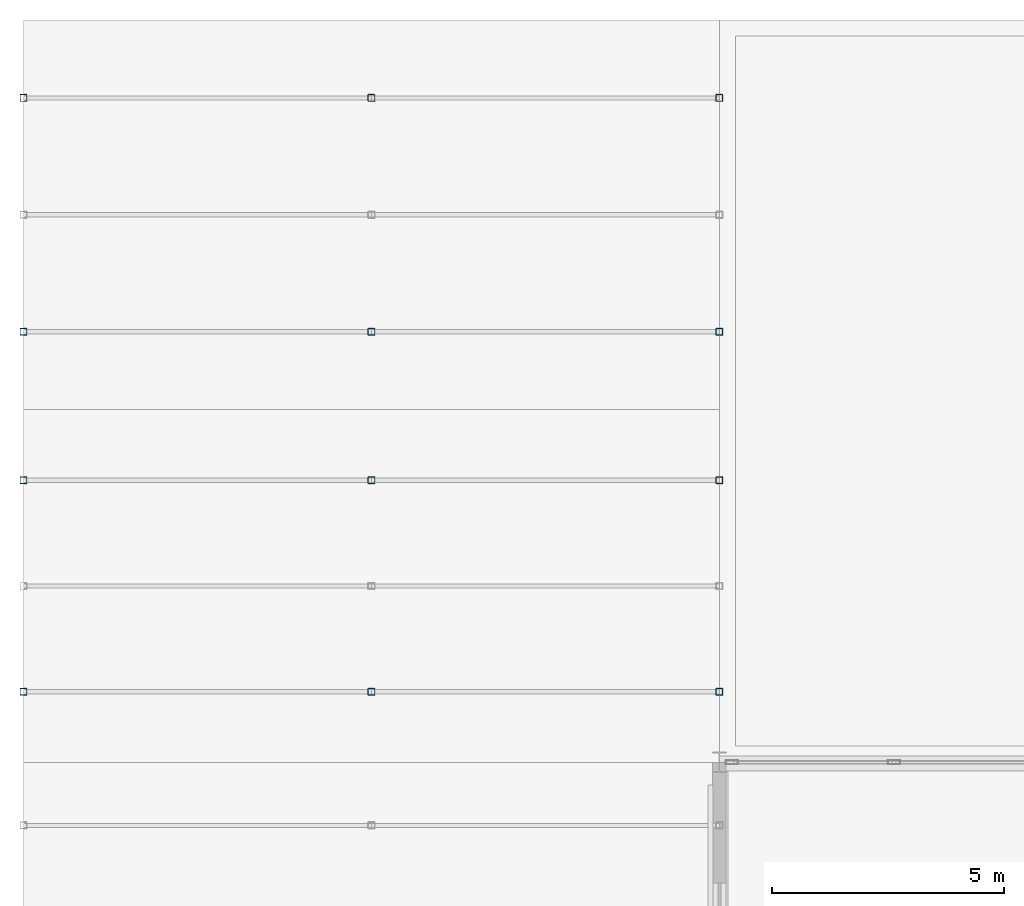
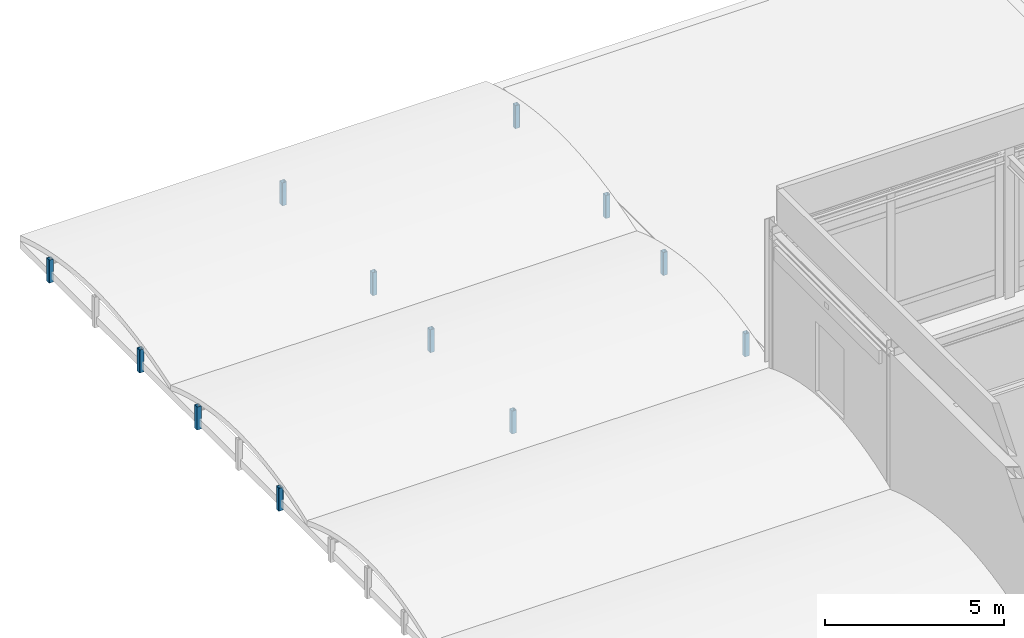
# One storey, part 80 of 113: 12 members.
"""IFC4 building model written with IfcOpenShell, lengths in metres."""

import ifcopenshell
import ifcopenshell.guid

model = None  # the IFC model being written
_history = None  # IfcOwnerHistory: only IFC2X3 demands one
_inside = {}  # id of a spatial element -> (the spatial element, [elements in it])
_under = {}  # id of a project, library or spatial element -> (it, [spatial elements below it])
_declared = {}  # id of a project -> (the project, [libraries it declares])
_typed = {}  # id of a type object -> (the type object, [elements of that type])
_made_of = {}  # id of a material, layer set ... -> (it, [elements and type objects made of it])


def new_model(schema):
    """Start an empty IFC model of exactly this schema.

    Asked for "IFC4X3", IfcOpenShell would pick the latest addendum, in which some entities
    have other attributes; the version numbers below select the first issue.
    IFC2X3 requires an IfcOwnerHistory on every rooted entity: one is made here for all.
    """
    global model, _history
    if schema == "IFC4X3":
        model = ifcopenshell.file(schema_version=(4, 3, 0, 0))
    else:
        model = ifcopenshell.file(schema=schema)
    _inside.clear()
    _under.clear()
    _declared.clear()
    _typed.clear()
    _made_of.clear()
    _history = None
    if model.schema == "IFC2X3":
        org = make("IfcOrganization", Name="unknown")
        user = make(
            "IfcPersonAndOrganization",
            ThePerson=make("IfcPerson", FamilyName="unknown"),
            TheOrganization=org,
        )
        app = make(
            "IfcApplication",
            ApplicationDeveloper=org,
            Version="unknown",
            ApplicationFullName="unknown",
            ApplicationIdentifier="unknown",
        )
        _history = make(
            "IfcOwnerHistory",
            OwningUser=user,
            OwningApplication=app,
            ChangeAction="ADDED",
            CreationDate=0,
        )
    return model


def make(cls, **values):
    """One entity of the class cls with the attributes given. An attribute that is None is left unset."""
    return model.create_entity(
        cls, **{name: value for name, value in values.items() if value is not None}
    )


def rooted(cls, **values):
    """An entity with a GlobalId (a new one), such as an element, a storey or a relation."""
    return make(cls, GlobalId=ifcopenshell.guid.new(), OwnerHistory=_history, **values)


def si_unit(unit_type, name, prefix=None):
    """IfcSIUnit, for example si_unit("LENGTHUNIT", "METRE", prefix="MILLI")."""
    return make("IfcSIUnit", UnitType=unit_type, Prefix=prefix, Name=name)


def assignment(units):
    """IfcUnitAssignment: the units of a project."""
    return None if units is None else make("IfcUnitAssignment", Units=units)


def point(xyz):
    """IfcCartesianPoint."""
    return None if xyz is None else make("IfcCartesianPoint", Coordinates=xyz)


def direction(xyz):
    """IfcDirection."""
    return None if xyz is None else make("IfcDirection", DirectionRatios=xyz)


def frame(location, z_axis=None, x_axis=None):
    """IfcAxis2Placement3D, a coordinate frame: its origin and axes. An axis left out is left unset."""
    return make(
        "IfcAxis2Placement3D",
        Location=point(location),
        Axis=direction(z_axis),
        RefDirection=direction(x_axis),
    )


def frame_2d(location, x_axis=None):
    """IfcAxis2Placement2D, a coordinate frame in the plane: its origin and x axis."""
    return make(
        "IfcAxis2Placement2D", Location=point(location), RefDirection=direction(x_axis)
    )


def origin():
    """The frame at (0, 0, 0) with its axes left unset."""
    return frame((0.0, 0.0, 0.0))


def origin_2d():
    """The frame at (0, 0) in the plane with its x axis left unset."""
    return frame_2d((0.0, 0.0))


def place(relative_to, where):
    """IfcLocalPlacement: puts the frame where relative to a parent placement (None: the world)."""
    return make(
        "IfcLocalPlacement", PlacementRelTo=relative_to, RelativePlacement=where
    )


def context(
    kind, dimensions, precision=None, world=None, true_north=None, identifier=None
):
    """IfcGeometricRepresentationContext, for example the 3D "Model" context."""
    return make(
        "IfcGeometricRepresentationContext",
        ContextIdentifier=identifier,
        ContextType=kind,
        CoordinateSpaceDimension=dimensions,
        Precision=precision,
        WorldCoordinateSystem=world,
        TrueNorth=true_north,
    )


def subcontext(parent, identifier, kind, view, scale=None):
    """IfcGeometricRepresentationSubContext, for example "Body" below "Model"."""
    return make(
        "IfcGeometricRepresentationSubContext",
        ContextIdentifier=identifier,
        ContextType=kind,
        ParentContext=parent,
        TargetScale=scale,
        TargetView=view,
    )


def project(units=None, contexts=None):
    """IfcProject with its units and contexts."""
    return rooted(
        "IfcProject",
        Name="project",
        RepresentationContexts=contexts,
        UnitsInContext=assignment(units),
    )


def spatial(cls, under=None, at=None, **own):
    """A site, building, storey or space (cls), placed at a placement, below another one or the project."""
    s = rooted(cls, ObjectPlacement=at, **own)
    if under is not None:
        _under.setdefault(under.id(), (under, []))[1].append(s)
    return s


def profile(cls, at=None, kind="AREA", **sizes):
    """A parametric profile (cls). Its sizes go by their IFC names, for example OverallWidth=200.0."""
    return make(cls, ProfileType=kind, Position=at, **sizes)


def hollow_rectangle(**sizes):
    """IfcRectangleHollowProfileDef."""
    return profile("IfcRectangleHollowProfileDef", **sizes)


def extrude(swept, where, along, depth):
    """IfcExtrudedAreaSolid: the profile swept, set in the frame where, extruded along a direction by depth."""
    return make(
        "IfcExtrudedAreaSolid",
        SweptArea=swept,
        Position=where,
        ExtrudedDirection=direction(along),
        Depth=depth,
    )


def shape(context_of_items, identifier, shape_type, items):
    """IfcShapeRepresentation: the items that make up one representation, for example the "Body"."""
    return make(
        "IfcShapeRepresentation",
        ContextOfItems=context_of_items,
        RepresentationIdentifier=identifier,
        RepresentationType=shape_type,
        Items=items,
    )


def material(Name=None, Category=None):
    """IfcMaterial."""
    return make("IfcMaterial", Name=Name, Category=Category)


def material_profile(
    of_material, cross_section, Name=None, Category=None, Priority=None
):
    """IfcMaterialProfile: a cross section and its material."""
    return make(
        "IfcMaterialProfile",
        Name=Name,
        Material=of_material,
        Profile=cross_section,
        Priority=Priority,
        Category=Category,
    )


def profile_set(profiles, Name=None, composite=None):
    """IfcMaterialProfileSet."""
    return make(
        "IfcMaterialProfileSet",
        Name=Name,
        MaterialProfiles=profiles,
        CompositeProfile=composite,
    )


def made_of(thing, what):
    """Note that an element or type object is made of a material, layer set ...; save() writes the relation."""
    if what is not None:
        _made_of.setdefault(what.id(), (what, []))[1].append(thing)
    return thing


def type_object(cls, material=None, **own):
    """A type object (cls), such as IfcWallType, which elements share."""
    return made_of(rooted(cls, **own), material)


def element(
    cls,
    number,
    at=None,
    inside=None,
    cuts=None,
    type_object=None,
    material=None,
    context=None,
    identifier="Body",
    shape_type=None,
    held_by="IfcProductDefinitionShape",
    body=None,
    shapes=None,
    **own,
):
    """One element of the class cls, such as IfcWall. Its Tag is "e" and its number.

    at: its placement. inside: the storey or other place that contains it. cuts: it is an
    opening in that element (IfcRelVoidsElement). A single representation is given by context,
    identifier, shape_type and body (its items); several are given by shapes. held_by: the class
    of the entity that holds the representations. save() writes the other relations.
    """
    e = rooted(cls, Tag="e%d" % number, ObjectPlacement=at, **own)
    if body is not None:
        shapes = [shape(context, identifier, shape_type, body)]
    if shapes is not None:
        e.Representation = make(held_by, Representations=shapes)
    if inside is not None:
        _inside.setdefault(inside.id(), (inside, []))[1].append(e)
    if cuts is not None:
        rooted(
            "IfcRelVoidsElement", RelatingBuildingElement=cuts, RelatedOpeningElement=e
        )
    if type_object is not None:
        _typed.setdefault(type_object.id(), (type_object, []))[1].append(e)
    return made_of(e, material)


def aggregate(whole, parts):
    """IfcRelAggregates: a whole, such as a stair, and the parts it consists of."""
    return rooted("IfcRelAggregates", RelatingObject=whole, RelatedObjects=parts)


def save(model, path):
    """Write the relations noted so far, then the file.

    IfcRelAggregates (storeys below a building ...), IfcRelContainedInSpatialStructure (elements
    in a storey), IfcRelDefinesByType, IfcRelAssociatesMaterial and IfcRelDeclares: one each for
    every whole, place, type object, material and project.
    """
    for whole, parts in _under.values():
        aggregate(whole, parts)
    for where, things in _inside.values():
        rooted(
            "IfcRelContainedInSpatialStructure",
            RelatedElements=things,
            RelatingStructure=where,
        )
    for kind, things in _typed.values():
        rooted("IfcRelDefinesByType", RelatedObjects=things, RelatingType=kind)
    for what, things in _made_of.values():
        rooted("IfcRelAssociatesMaterial", RelatedObjects=things, RelatingMaterial=what)
    for by, libraries in _declared.values():
        rooted("IfcRelDeclares", RelatingContext=by, RelatedDefinitions=libraries)
    model.write(path)


model = new_model("IFC4")

# Units and contexts
model_context = context("Model", 3, precision=1e-05, world=origin(), true_north=direction((0.0, 1.0)))
body_context = subcontext(model_context, "Body", "Model", "MODEL_VIEW")
ifc_project = project(units=[si_unit("LENGTHUNIT", "METRE"), si_unit("AREAUNIT", "SQUARE_METRE"), si_unit("VOLUMEUNIT", "CUBIC_METRE"), si_unit("PLANEANGLEUNIT", "RADIAN"), si_unit("MASSUNIT", "GRAM", prefix="KILO")], contexts=[model_context])

# Site, building, storey
site_placement = place(None, origin())
site = spatial("IfcSite", under=ifc_project, at=site_placement, CompositionType="ELEMENT")
building_placement = place(site_placement, origin())
building = spatial("IfcBuilding", under=site, at=building_placement, Name="Shalkamar Park Central Library", CompositionType="ELEMENT")
storey_placement = place(building_placement, frame((0.0, 0.0, 5.39990234375)))
storey = spatial("IfcBuildingStorey", under=building, at=storey_placement, Name="L02", CompositionType="ELEMENT", Elevation=5.39990234375)

# Members
ifc_material = material(Name="Steel S355", Category="steel")
ifc_material_profile = material_profile(ifc_material, hollow_rectangle(XDim=0.14990234375, YDim=0.14990234375, WallThickness=0.008056640625, InnerFilletRadius=0.008056640625, OuterFilletRadius=0.011962890625, at=origin_2d()), Name="SHS 150x150x8")
ifc_profile_set = profile_set([ifc_material_profile], Name="Steel S355")
member_type = type_object("IfcMemberType", Name="Diagonal Brace SHS150", PredefinedType="BRACE", material=ifc_profile_set)
for number, where, z_axis, x_axis, name in (
    (1, (120.0, 339.52001953125, -0.35986328125), (0.0, 0.0, 1.0), (1.0, 0.0, 0.0), "Vault Arch Post BV-L01-W11-01.1"),
    (2, (120.0, 344.080078125, -0.35986328125), (0.0, 0.0, 1.0), (1.0, 0.0, 0.0), "Vault Arch Post BV-L01-W11-01.3"),
    (3, (127.5, 339.52001953125, -0.35986328125), (0.0, 0.0, 1.0), (1.0, 0.0, 0.0), "Vault Arch Post BV-L01-W11-02.1"),
    (4, (127.5, 344.080078125, -0.35986328125), (0.0, 0.0, 1.0), (1.0, 0.0, 0.0), "Vault Arch Post BV-L01-W11-02.3"),
    (5, (135.0, 339.52001953125, -0.35986328125), (0.0, 0.0, 1.0), (1.0, 0.0, 0.0), "Vault Arch Post BV-L01-W11-03.1"),
    (6, (135.0, 344.080078125, -0.35986328125), (0.0, 0.0, 1.0), (1.0, 0.0, 0.0), "Vault Arch Post BV-L01-W11-03.3"),
    (7, (120.0, 347.280029296875, -0.35986328125), (0.0, 0.0, 1.0), (1.0, 0.0, 0.0), "Vault Arch Post BV-L01-W12-01.1"),
    (8, (120.0, 352.320068359375, -0.35986328125), (0.0, 0.0, 1.0), (1.0, 0.0, 0.0), "Vault Arch Post BV-L01-W12-01.3"),
    (9, (127.5, 347.280029296875, -0.35986328125), (0.0, 0.0, 1.0), (1.0, 0.0, 0.0), "Vault Arch Post BV-L01-W12-02.1"),
    (10, (127.5, 352.320068359375, -0.35986328125), (0.0, 0.0, 1.0), (1.0, 0.0, 0.0), "Vault Arch Post BV-L01-W12-02.3"),
    (11, (135.0, 347.280029296875, -0.35986328125), (0.0, 0.0, 1.0), (1.0, 0.0, 0.0), "Vault Arch Post BV-L01-W12-03.1"),
    (12, (135.0, 352.320068359375, -0.35986328125), (0.0, 0.0, 1.0), (1.0, 0.0, 0.0), "Vault Arch Post BV-L01-W12-03.3"),
):
    element("IfcMember", number, at=place(storey_placement, frame(where, z_axis=z_axis, x_axis=x_axis)), inside=storey, type_object=member_type, Name=name, PredefinedType="BRACE", context=body_context, shape_type="SweptSolid", body=[
        extrude(hollow_rectangle(XDim=0.14990234375, YDim=0.14990234375, WallThickness=0.008056640625, InnerFilletRadius=0.008056640625, OuterFilletRadius=0.011962890625, at=origin_2d()), origin(), (0.0, 0.0, 1.0), 0.78076171875),
    ])

save(model, "model.ifc")
